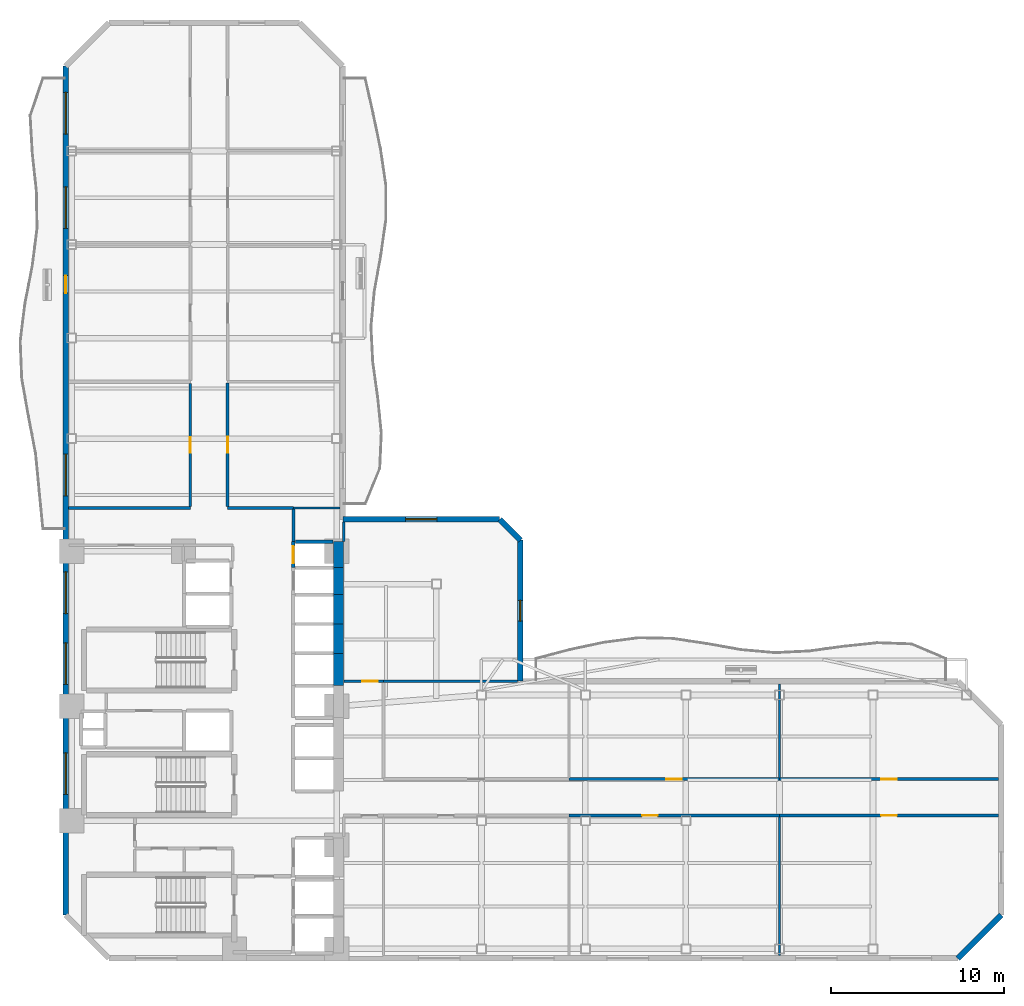
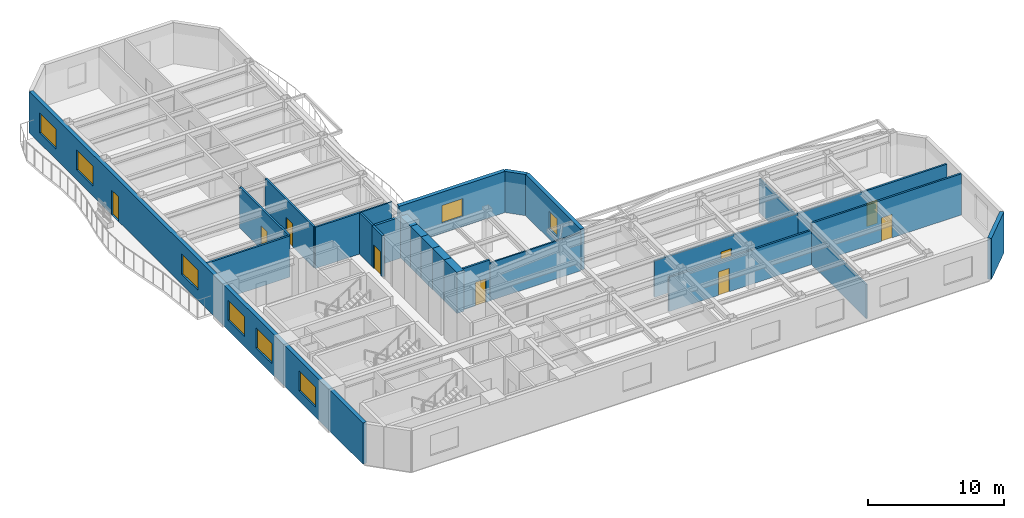
# One storey, part 5 of 10: 27 walls, 9 doors, 8 windows, 17 openings.
"""IFC4 building model written with IfcOpenShell, lengths in metres."""

from ifc_helpers import new_model, si_unit, direction, frame, frame_2d, origin, place, context, subcontext, project, spatial, rectangle, extrude, material, layer, layer_set, type_object, element, fill, save


model = new_model("IFC4")

# Units and contexts
model_context = context("Model", 3, precision=1e-05, world=origin(), true_north=direction((0.0, 1.0)))
body_context = subcontext(model_context, "Body", "Model", "MODEL_VIEW")
ifc_project = project(units=[si_unit("LENGTHUNIT", "METRE"), si_unit("AREAUNIT", "SQUARE_METRE"), si_unit("VOLUMEUNIT", "CUBIC_METRE"), si_unit("PLANEANGLEUNIT", "RADIAN"), si_unit("MASSUNIT", "GRAM", prefix="KILO")], contexts=[model_context])

# Site, building, storey
site_placement = place(None, origin())
site = spatial("IfcSite", under=ifc_project, at=site_placement, CompositionType="ELEMENT")
building_placement = place(site_placement, origin())
building = spatial("IfcBuilding", under=site, at=building_placement, Name="Mawjaban Terraces University", CompositionType="ELEMENT")
storey_placement = place(building_placement, frame((0.0, 0.0, 81.699951171875)))
storey = spatial("IfcBuildingStorey", under=building, at=storey_placement, Name="L19", CompositionType="ELEMENT", Elevation=81.699951171875)

# Walls
ifc_material_1 = material(Name="Concrete C70/85", Category="concrete")
ifc_layer_1 = layer(ifc_material_1, 0.60009765625)
ifc_layer_set_1 = layer_set([ifc_layer_1], Name="Concrete C70/85")
wall_type_1 = type_object("IfcWallType", Name="CoreShearWall_600", PredefinedType="SHEAR", material=ifc_layer_set_1)
wall_1_placement = place(storey_placement, frame((37.75, 15.75, 0.0), z_axis=(0.0, 0.0, 1.0), x_axis=(0.0, 1.0, 0.0)))
element("IfcWall", 1, at=wall_1_placement, inside=storey, type_object=wall_type_1, Name="L19 Lift OL-2 Hoistway Wall East", PredefinedType="SHEAR", context=body_context, shape_type="SweptSolid", body=[
    extrude(rectangle(XDim=1.85009765625, YDim=0.60009765625, at=frame_2d((0.925048828125, 0.0))), origin(), (0.0, 0.0, 1.0), 3.68994140625),
])
for number, where, z_axis, x_axis, name in (
    (2, (37.75, 17.60009765625, 0.0), (0.0, 0.0, 1.0), (0.0, 1.0, 0.0), "L19 Lift PL-M1 Hoistway Wall East"),
    (3, (37.75, 19.300048828125, 0.0), (0.0, 0.0, 1.0), (0.0, 1.0, 0.0), "L19 Lift PL-M2 Hoistway Wall East"),
):
    element("IfcWall", number, at=place(storey_placement, frame(where, z_axis=z_axis, x_axis=x_axis)), inside=storey, type_object=wall_type_1, Name=name, PredefinedType="SHEAR", context=body_context, shape_type="SweptSolid", body=[
        extrude(rectangle(XDim=1.699951171875, YDim=0.60009765625, at=frame_2d((0.85009765625, 0.0))), origin(), (0.0, 0.0, 1.0), 3.68994140625),
    ])
wall_2_placement = place(storey_placement, frame((37.75, 21.0, 0.0), z_axis=(0.0, 0.0, 1.0), x_axis=(0.0, 1.0, 0.0)))
element("IfcWall", 4, at=wall_2_placement, inside=storey, type_object=wall_type_1, Name="L19 Lift PL-L1 Hoistway Wall East", PredefinedType="SHEAR", context=body_context, shape_type="SweptSolid", body=[
    extrude(rectangle(XDim=1.550048828125, YDim=0.60009765625, at=frame_2d((0.77490234375, 0.0))), origin(), (0.0, 0.0, 1.0), 3.68994140625),
])
wall_3_placement = place(storey_placement, frame((37.75, 22.550048828125, 0.0), z_axis=(0.0, 0.0, 1.0), x_axis=(0.0, 1.0, 0.0)))
element("IfcWall", 5, at=wall_3_placement, inside=storey, type_object=wall_type_1, Name="L19 Lift PL-L2 Hoistway Wall East", PredefinedType="SHEAR", context=body_context, shape_type="SweptSolid", body=[
    extrude(rectangle(XDim=1.5, YDim=0.60009765625, at=frame_2d((0.75, 0.0))), origin(), (0.0, 0.0, 1.0), 3.68994140625),
])
ifc_material_2 = material(Name="Fire-rated gypsum board on steel stud", Category="steel")
ifc_layer_2 = layer(ifc_material_2, 0.159912109375)
ifc_layer_set_2 = layer_set([ifc_layer_2], Name="Fire-rated gypsum board on steel stud")
wall_type_2 = type_object("IfcWallType", Name="CorridorPartition_160", PredefinedType="PARTITIONING", material=ifc_layer_set_2)
wall_4_placement = place(storey_placement, frame((29.199951171875, 26.0, 0.0), z_axis=(0.0, 0.0, 1.0), x_axis=(-1.0, 0.0, 0.0)))
element("IfcWall", 6, at=wall_4_placement, inside=storey, type_object=wall_type_2, Name="L19 North Core Cross-Corridor Partition 7", PredefinedType="PARTITIONING", context=body_context, shape_type="SweptSolid", body=[
    extrude(rectangle(XDim=7.044921875, YDim=0.159912109375, at=frame_2d((3.5224609375, 0.0))), origin(), (0.0, 0.0, 1.0), 3.68994140625),
])
wall_5_placement = place(storey_placement, frame((35.14990234375, 26.0, 0.0), z_axis=(0.0, 0.0, 1.0), x_axis=(-1.0, 0.0, 0.0)))
element("IfcWall", 7, at=wall_5_placement, inside=storey, type_object=wall_type_2, Name="L19 North Core Cross-Corridor Partition 13", PredefinedType="PARTITIONING", context=body_context, shape_type="SweptSolid", body=[
    extrude(rectangle(XDim=3.7998046875, YDim=0.159912109375, at=frame_2d((1.89990234375, 0.0))), origin(), (0.0, 0.0, 1.0), 3.68994140625),
])

# Wall, opening, door
wall_6_placement = place(storey_placement, frame((40.35009765625, 16.0, 0.0), z_axis=(0.0, 0.0, 1.0), x_axis=(-1.0, 0.0, 0.0)))
wall_6 = element("IfcWall", 8, at=wall_6_placement, inside=storey, type_object=wall_type_2, Name="L19 East Academic Corridor Vestibule Partition 21", PredefinedType="PARTITIONING", context=body_context, shape_type="SweptSolid", body=[
    extrude(rectangle(XDim=2.27001953125, YDim=0.159912109375, at=frame_2d((1.135009765625, 0.0))), origin(), (0.0, 0.0, 1.0), 3.68994140625),
])
opening_1_placement = place(wall_6_placement, frame((0.3349609375, 0.0, 0.0)))
opening_1 = element("IfcOpeningElement", 9, at=opening_1_placement, cuts=wall_6, Name="Opening ID-090", PredefinedType="OPENING", context=body_context, shape_type="SweptSolid", body=[
    extrude(rectangle(XDim=0.89990234375, YDim=2.10009765625, at=frame_2d((0.449951171875, 1.050048828125))), frame((0.0, 0.08984375, 0.0), z_axis=(0.0, -1.0, 0.0), x_axis=(1.0, 0.0, 0.0)), (0.0, 0.0, 1.0), 0.179931640625),
])
ifc_material_3 = material(Name="Powder-coated steel frame and solid acoustic timber leaf", Category="steel")
door_type_1 = type_object("IfcDoorType", Name="OfficeDoor_900x2100", OperationType="NOTDEFINED", PredefinedType="DOOR", material=ifc_material_3)
door_1_placement = place(opening_1_placement, origin())
door_1 = element("IfcDoor", 10, at=door_1_placement, inside=storey, type_object=door_type_1, Name="L19 Terrace Collaborative Study Room Door", OperationType="SINGLE_SWING_RIGHT", OverallHeight=2.10009765625, OverallWidth=0.89990234375, PredefinedType="DOOR", context=body_context, shape_type="SweptSolid", body=[
    extrude(rectangle(XDim=0.89990234375, YDim=2.10009765625, at=frame_2d((0.449951171875, 1.050048828125))), frame((0.0, 0.02490234375, 0.0), z_axis=(0.0, -1.0, 0.0), x_axis=(1.0, 0.0, 0.0)), (0.0, 0.0, 1.0), 0.050048828125),
])
fill(opening_1, door_1)

wall_7_placement = place(storey_placement, frame((51.050048828125, 8.25, 0.0), z_axis=(0.0, 0.0, 1.0), x_axis=(1.0, 0.0, 0.0)))
wall_7 = element("IfcWall", 11, at=wall_7_placement, inside=storey, type_object=wall_type_2, Name="L19 East Academic Spine Corridor Partition 22", PredefinedType="PARTITIONING", context=body_context, shape_type="SweptSolid", body=[
    extrude(rectangle(XDim=12.14990234375, YDim=0.159912109375, at=frame_2d((6.074951171875, 0.0))), origin(), (0.0, 0.0, 1.0), 3.054931640625),
])
opening_2_placement = place(wall_7_placement, frame((4.22509765625, 0.0, 0.0)))
opening_2 = element("IfcOpeningElement", 12, at=opening_2_placement, cuts=wall_7, Name="Opening ID-090", PredefinedType="OPENING", context=body_context, shape_type="SweptSolid", body=[
    extrude(rectangle(XDim=0.89990234375, YDim=2.10009765625, at=frame_2d((0.449951171875, 1.050048828125))), frame((0.0, 0.08984375, 0.0), z_axis=(0.0, -1.0, 0.0), x_axis=(1.0, 0.0, 0.0)), (0.0, 0.0, 1.0), 0.179931640625),
])
door_2_placement = place(opening_2_placement, origin())
door_2 = element("IfcDoor", 13, at=door_2_placement, inside=storey, type_object=door_type_1, Name="L19 Academic Counseling Room 4 Door", OperationType="SINGLE_SWING_RIGHT", OverallHeight=2.10009765625, OverallWidth=0.89990234375, PredefinedType="DOOR", context=body_context, shape_type="SweptSolid", body=[
    extrude(rectangle(XDim=0.89990234375, YDim=2.10009765625, at=frame_2d((0.449951171875, 1.050048828125))), frame((0.0, 0.02490234375, 0.0), z_axis=(0.0, -1.0, 0.0), x_axis=(1.0, 0.0, 0.0)), (0.0, 0.0, 1.0), 0.050048828125),
])
fill(opening_2, door_2)

wall_8_placement = place(storey_placement, frame((63.199951171875, 8.25, 0.0), z_axis=(0.0, 0.0, 1.0), x_axis=(1.0, 0.0, 0.0)))
wall_8 = element("IfcWall", 14, at=wall_8_placement, inside=storey, type_object=wall_type_2, Name="L19 East Academic Spine Corridor Partition 24", PredefinedType="PARTITIONING", context=body_context, shape_type="SweptSolid", body=[
    extrude(rectangle(XDim=12.64501953125, YDim=0.159912109375, at=frame_2d((6.322509765625, 0.0))), origin(), (0.0, 0.0, 1.0), 3.68994140625),
])
opening_3_placement = place(wall_8_placement, frame((5.8720703125, 0.0, 0.0)))
opening_3 = element("IfcOpeningElement", 15, at=opening_3_placement, cuts=wall_8, Name="Opening ID-090", PredefinedType="OPENING", context=body_context, shape_type="SweptSolid", body=[
    extrude(rectangle(XDim=0.89990234375, YDim=2.10009765625, at=frame_2d((0.449951171875, 1.050048828125))), frame((0.0, 0.08984375, 0.0), z_axis=(0.0, -1.0, 0.0), x_axis=(1.0, 0.0, 0.0)), (0.0, 0.0, 1.0), 0.179931640625),
])
door_3_placement = place(opening_3_placement, origin())
door_3 = element("IfcDoor", 16, at=door_3_placement, inside=storey, type_object=door_type_1, Name="L19 Departmental Office 6 Door", OperationType="SINGLE_SWING_RIGHT", OverallHeight=2.10009765625, OverallWidth=0.89990234375, PredefinedType="DOOR", context=body_context, shape_type="SweptSolid", body=[
    extrude(rectangle(XDim=0.89990234375, YDim=2.10009765625, at=frame_2d((0.449951171875, 1.050048828125))), frame((0.0, 0.02490234375, 0.0), z_axis=(0.0, -1.0, 0.0), x_axis=(1.0, 0.0, 0.0)), (0.0, 0.0, 1.0), 0.050048828125),
])
fill(opening_3, door_3)

wall_9_placement = place(storey_placement, frame((63.199951171875, 10.35009765625, 0.0), z_axis=(0.0, 0.0, 1.0), x_axis=(-1.0, 0.0, 0.0)))
wall_9 = element("IfcWall", 17, at=wall_9_placement, inside=storey, type_object=wall_type_2, Name="L19 East Academic Spine Corridor Partition 25", PredefinedType="PARTITIONING", context=body_context, shape_type="SweptSolid", body=[
    extrude(rectangle(XDim=12.14990234375, YDim=0.159912109375, at=frame_2d((6.074951171875, 0.0))), origin(), (0.0, 0.0, 1.0), 3.277099609375),
])
opening_4_placement = place(wall_9_placement, frame((5.625, 0.0, 0.0)))
opening_4 = element("IfcOpeningElement", 18, at=opening_4_placement, cuts=wall_9, Name="Opening ID-090", PredefinedType="OPENING", context=body_context, shape_type="SweptSolid", body=[
    extrude(rectangle(XDim=0.89990234375, YDim=2.10009765625, at=frame_2d((0.449951171875, 1.050048828125))), frame((0.0, 0.08984375, 0.0), z_axis=(0.0, -1.0, 0.0), x_axis=(1.0, 0.0, 0.0)), (0.0, 0.0, 1.0), 0.179931640625),
])
door_4_placement = place(opening_4_placement, origin())
door_4 = element("IfcDoor", 19, at=door_4_placement, inside=storey, type_object=door_type_1, Name="L19 Faculty Office 5 Door", OperationType="SINGLE_SWING_LEFT", OverallHeight=2.10009765625, OverallWidth=0.89990234375, PredefinedType="DOOR", context=body_context, shape_type="SweptSolid", body=[
    extrude(rectangle(XDim=0.89990234375, YDim=2.10009765625, at=frame_2d((0.449951171875, 1.050048828125))), frame((0.0, 0.02490234375, 0.0), z_axis=(0.0, -1.0, 0.0), x_axis=(1.0, 0.0, 0.0)), (0.0, 0.0, 1.0), 0.050048828125),
])
fill(opening_4, door_4)

wall_10_placement = place(storey_placement, frame((75.844970703125, 10.35009765625, 0.0), z_axis=(0.0, 0.0, 1.0), x_axis=(-1.0, 0.0, 0.0)))
wall_10 = element("IfcWall", 20, at=wall_10_placement, inside=storey, type_object=wall_type_2, Name="L19 East Academic Spine Corridor Partition 26", PredefinedType="PARTITIONING", context=body_context, shape_type="SweptSolid", body=[
    extrude(rectangle(XDim=12.64501953125, YDim=0.159912109375, at=frame_2d((6.322509765625, 0.0))), origin(), (0.0, 0.0, 1.0), 3.277099609375),
])
opening_5_placement = place(wall_10_placement, frame((5.8720703125, 0.0, 0.0)))
opening_5 = element("IfcOpeningElement", 21, at=opening_5_placement, cuts=wall_10, Name="Opening ID-090", PredefinedType="OPENING", context=body_context, shape_type="SweptSolid", body=[
    extrude(rectangle(XDim=0.89990234375, YDim=2.10009765625, at=frame_2d((0.449951171875, 1.050048828125))), frame((0.0, 0.08984375, 0.0), z_axis=(0.0, -1.0, 0.0), x_axis=(1.0, 0.0, 0.0)), (0.0, 0.0, 1.0), 0.179931640625),
])
door_5_placement = place(opening_5_placement, origin())
door_5 = element("IfcDoor", 22, at=door_5_placement, inside=storey, type_object=door_type_1, Name="L19 Faculty Office 7 Door", OperationType="SINGLE_SWING_LEFT", OverallHeight=2.10009765625, OverallWidth=0.89990234375, PredefinedType="DOOR", context=body_context, shape_type="SweptSolid", body=[
    extrude(rectangle(XDim=0.89990234375, YDim=2.10009765625, at=frame_2d((0.449951171875, 1.050048828125))), frame((0.0, 0.02490234375, 0.0), z_axis=(0.0, -1.0, 0.0), x_axis=(1.0, 0.0, 0.0)), (0.0, 0.0, 1.0), 0.050048828125),
])
fill(opening_5, door_5)

wall_11_placement = place(storey_placement, frame((29.199951171875, 33.195068359375, 0.0), z_axis=(0.0, 0.0, 1.0), x_axis=(0.0, -1.0, 0.0)))
wall_11 = element("IfcWall", 23, at=wall_11_placement, inside=storey, type_object=wall_type_2, Name="L19 North Academic Spine Corridor Partition 32", PredefinedType="PARTITIONING", context=body_context, shape_type="SweptSolid", body=[
    extrude(rectangle(XDim=7.1201171875, YDim=0.159912109375, at=frame_2d((3.56005859375, 0.0))), origin(), (0.0, 0.0, 1.0), 3.68994140625),
])
opening_6_placement = place(wall_11_placement, frame((3.110107421875, 0.0, 0.0)))
opening_6 = element("IfcOpeningElement", 24, at=opening_6_placement, cuts=wall_11, Name="Opening ID-090", PredefinedType="OPENING", context=body_context, shape_type="SweptSolid", body=[
    extrude(rectangle(XDim=0.89990234375, YDim=2.10009765625, at=frame_2d((0.449951171875, 1.050048828125))), frame((0.0, 0.08984375, 0.0), z_axis=(0.0, -1.0, 0.0), x_axis=(1.0, 0.0, 0.0)), (0.0, 0.0, 1.0), 0.179931640625),
])
door_6_placement = place(opening_6_placement, origin())
door_6 = element("IfcDoor", 25, at=door_6_placement, inside=storey, type_object=door_type_1, Name="L19 Departmental Office 8 Door", OperationType="SINGLE_SWING_RIGHT", OverallHeight=2.10009765625, OverallWidth=0.89990234375, PredefinedType="DOOR", context=body_context, shape_type="SweptSolid", body=[
    extrude(rectangle(XDim=0.89990234375, YDim=2.10009765625, at=frame_2d((0.449951171875, 1.050048828125))), frame((0.0, 0.02490234375, 0.0), z_axis=(0.0, -1.0, 0.0), x_axis=(1.0, 0.0, 0.0)), (0.0, 0.0, 1.0), 0.050048828125),
])
fill(opening_6, door_6)

wall_12_placement = place(storey_placement, frame((31.35009765625, 26.074951171875, 0.0), z_axis=(0.0, 0.0, 1.0), x_axis=(0.0, 1.0, 0.0)))
wall_12 = element("IfcWall", 26, at=wall_12_placement, inside=storey, type_object=wall_type_2, Name="L19 North Academic Spine Corridor Partition 36", PredefinedType="PARTITIONING", context=body_context, shape_type="SweptSolid", body=[
    extrude(rectangle(XDim=7.136962890625, YDim=0.159912109375, at=frame_2d((3.568359375, 0.0))), origin(), (0.0, 0.0, 1.0), 3.68994140625),
])
opening_7_placement = place(wall_12_placement, frame((3.118896484375, 0.0, 0.0)))
opening_7 = element("IfcOpeningElement", 27, at=opening_7_placement, cuts=wall_12, Name="Opening ID-090", PredefinedType="OPENING", context=body_context, shape_type="SweptSolid", body=[
    extrude(rectangle(XDim=0.89990234375, YDim=2.10009765625, at=frame_2d((0.449951171875, 1.050048828125))), frame((0.0, 0.08984375, 0.0), z_axis=(0.0, -1.0, 0.0), x_axis=(1.0, 0.0, 0.0)), (0.0, 0.0, 1.0), 0.179931640625),
])
door_7_placement = place(opening_7_placement, origin())
door_7 = element("IfcDoor", 28, at=door_7_placement, inside=storey, type_object=door_type_1, Name="L19 Quiet Reading Room 9 Door", OperationType="SINGLE_SWING_LEFT", OverallHeight=2.10009765625, OverallWidth=0.89990234375, PredefinedType="DOOR", context=body_context, shape_type="SweptSolid", body=[
    extrude(rectangle(XDim=0.89990234375, YDim=2.10009765625, at=frame_2d((0.449951171875, 1.050048828125))), frame((0.0, 0.02490234375, 0.0), z_axis=(0.0, -1.0, 0.0), x_axis=(1.0, 0.0, 0.0)), (0.0, 0.0, 1.0), 0.050048828125),
])
fill(opening_7, door_7)

# Walls
wall_13_placement = place(storey_placement, frame((35.14990234375, 24.070068359375, 0.0), z_axis=(0.0, 0.0, 1.0), x_axis=(0.0, 1.0, 0.0)))
element("IfcWall", 29, at=wall_13_placement, inside=storey, type_object=wall_type_2, Name="L19 North Core Cross-Corridor Partition 42", PredefinedType="PARTITIONING", context=body_context, shape_type="SweptSolid", body=[
    extrude(rectangle(XDim=1.85498046875, YDim=0.159912109375, at=frame_2d((0.927490234375, 0.0))), origin(), (0.0, 0.0, 1.0), 3.68994140625),
])
ifc_material_4 = material(Name="Insulated terracotta rainscreen on concrete backup C40/50", Category="masonry")
ifc_layer_3 = layer(ifc_material_4, 0.320068359375)
ifc_layer_set_3 = layer_set([ifc_layer_3], Name="Insulated terracotta rainscreen on concrete backup C40/50")
wall_type_3 = type_object("IfcWallType", Name="ExtTerracottaWall_320", PredefinedType="SOLIDWALL", material=ifc_layer_set_3)
wall_14_placement = place(storey_placement, frame((73.5, 0.0, 0.0), z_axis=(0.0, 0.0, 1.0), x_axis=(0.707106781187, 0.707106781187, 0.0)))
element("IfcWall", 30, at=wall_14_placement, inside=storey, type_object=wall_type_3, Name="L19 Exterior Terracotta Wall 2", PredefinedType="SOLIDWALL", context=body_context, shape_type="SweptSolid", body=[
    extrude(rectangle(XDim=3.53564453125, YDim=0.320068359375, at=frame_2d((1.767822265625, 0.0))), origin(), (0.0, 0.0, 1.0), 3.68994140625),
])

# Wall, opening, window
wall_15_placement = place(storey_placement, frame((48.25, 16.0, 0.0), z_axis=(0.0, 0.0, 1.0), x_axis=(0.0, 1.0, 0.0)))
wall_15 = element("IfcWall", 31, at=wall_15_placement, inside=storey, type_object=wall_type_3, Name="L19 Exterior Terracotta Wall 6", PredefinedType="SOLIDWALL", context=body_context, shape_type="SweptSolid", body=[
    extrude(rectangle(XDim=8.136962890625, YDim=0.320068359375, at=frame_2d((4.068359375, 0.0))), origin(), (0.0, 0.0, 1.0), 3.68994140625),
])
opening_8_placement = place(wall_15_placement, frame((3.468994140625, 0.0, 0.89990234375)))
opening_8 = element("IfcOpeningElement", 32, at=opening_8_placement, cuts=wall_15, Name="Opening W-01", PredefinedType="OPENING", context=body_context, shape_type="SweptSolid", body=[
    extrude(rectangle(XDim=1.199951171875, YDim=1.60009765625, at=frame_2d((0.60009765625, 0.800048828125))), frame((0.0, 0.169921875, 0.0), z_axis=(0.0, -1.0, 0.0), x_axis=(1.0, 0.0, 0.0)), (0.0, 0.0, 1.0), 0.340087890625),
])
ifc_material_5 = material(Name="Low-E solar-control double glazing in thermally broken aluminium frame", Category="aluminium")
window_type_1 = type_object("IfcWindowType", Name="Win_1200x1600", PartitioningType="SINGLE_PANEL", PredefinedType="WINDOW", material=ifc_material_5)
window_1_placement = place(opening_8_placement, origin())
window_1 = element("IfcWindow", 33, at=window_1_placement, inside=storey, type_object=window_type_1, Name="L19 Facade Window 6.1", OverallHeight=1.60009765625, OverallWidth=1.199951171875, PartitioningType="SINGLE_PANEL", PredefinedType="WINDOW", context=body_context, shape_type="SweptSolid", body=[
    extrude(rectangle(XDim=1.199951171875, YDim=1.60009765625, at=frame_2d((0.60009765625, 0.800048828125))), frame((0.0, 0.030029296875, 0.0), z_axis=(0.0, -1.0, 0.0), x_axis=(1.0, 0.0, 0.0)), (0.0, 0.0, 1.0), 0.06005859375),
])
fill(opening_8, window_1)

# Wall
wall_16_placement = place(storey_placement, frame((48.25, 24.136962890625, 0.0), z_axis=(0.0, 0.0, 1.0), x_axis=(-0.707106781187, 0.707106781187, 0.0)))
element("IfcWall", 34, at=wall_16_placement, inside=storey, type_object=wall_type_3, Name="L19 Exterior Terracotta Wall 7", PredefinedType="SOLIDWALL", context=body_context, shape_type="SweptSolid", body=[
    extrude(rectangle(XDim=1.697021484375, YDim=0.320068359375, at=frame_2d((0.8486328125, 0.0))), origin(), (0.0, 0.0, 1.0), 3.68994140625),
])

# Wall, opening, window
wall_17_placement = place(storey_placement, frame((47.050048828125, 25.3369140625, 0.0), z_axis=(0.0, 0.0, 1.0), x_axis=(-1.0, 0.0, 0.0)))
wall_17 = element("IfcWall", 35, at=wall_17_placement, inside=storey, type_object=wall_type_3, Name="L19 Exterior Terracotta Wall 8", PredefinedType="SOLIDWALL", context=body_context, shape_type="SweptSolid", body=[
    extrude(rectangle(XDim=9.050048828125, YDim=0.320068359375, at=frame_2d((4.52490234375, 0.0))), origin(), (0.0, 0.0, 1.0), 3.68994140625),
])
opening_9_placement = place(wall_17_placement, frame((3.625, 0.0, 0.89990234375)))
opening_9 = element("IfcOpeningElement", 36, at=opening_9_placement, cuts=wall_17, Name="Opening W-03", PredefinedType="OPENING", context=body_context, shape_type="SweptSolid", body=[
    extrude(rectangle(XDim=1.800048828125, YDim=1.60009765625, at=frame_2d((0.89990234375, 0.800048828125))), frame((0.0, 0.169921875, 0.0), z_axis=(0.0, -1.0, 0.0), x_axis=(1.0, 0.0, 0.0)), (0.0, 0.0, 1.0), 0.340087890625),
])
window_type_2 = type_object("IfcWindowType", Name="Win_1800x1600", PartitioningType="SINGLE_PANEL", PredefinedType="WINDOW", material=ifc_material_5)
window_2_placement = place(opening_9_placement, origin())
window_2 = element("IfcWindow", 37, at=window_2_placement, inside=storey, type_object=window_type_2, Name="L19 Facade Window 8.1", OverallHeight=1.60009765625, OverallWidth=1.800048828125, PartitioningType="SINGLE_PANEL", PredefinedType="WINDOW", context=body_context, shape_type="SweptSolid", body=[
    extrude(rectangle(XDim=1.800048828125, YDim=1.60009765625, at=frame_2d((0.89990234375, 0.800048828125))), frame((0.0, 0.030029296875, 0.0), z_axis=(0.0, -1.0, 0.0), x_axis=(1.0, 0.0, 0.0)), (0.0, 0.0, 1.0), 0.06005859375),
])
fill(opening_9, window_2)

# Wall, openings, door, windows
wall_18_placement = place(storey_placement, frame((22.0, 51.5, 0.0), z_axis=(0.0, 0.0, 1.0), x_axis=(0.0, -1.0, 0.0)))
wall_18 = element("IfcWall", 38, at=wall_18_placement, inside=storey, type_object=wall_type_3, Name="L19 Exterior Terracotta Wall 13", PredefinedType="SOLIDWALL", context=body_context, shape_type="SweptSolid", body=[
    extrude(rectangle(XDim=49.0, YDim=0.320068359375, at=frame_2d((24.5, 0.0))), origin(), (0.0, 0.0, 1.0), 3.68994140625),
])
opening_10_placement = place(wall_18_placement, frame((12.10009765625, 0.0, 0.0)))
opening_10 = element("IfcOpeningElement", 39, at=opening_10_placement, cuts=wall_18, Name="Opening BD-100", PredefinedType="OPENING", context=body_context, shape_type="SweptSolid", body=[
    extrude(rectangle(XDim=1.0, YDim=2.199951171875, at=frame_2d((0.5, 1.10009765625))), frame((0.0, 0.169921875, 0.0), z_axis=(0.0, -1.0, 0.0), x_axis=(1.0, 0.0, 0.0)), (0.0, 0.0, 1.0), 0.340087890625),
])
opening_11_placement = place(wall_18_placement, frame((1.52197265625, 0.0, 0.89990234375)))
opening_11 = element("IfcOpeningElement", 40, at=opening_11_placement, cuts=wall_18, Name="Opening W-08", PredefinedType="OPENING", context=body_context, shape_type="SweptSolid", body=[
    extrude(rectangle(XDim=2.39990234375, YDim=1.800048828125, at=frame_2d((1.199951171875, 0.89990234375))), frame((0.0, 0.169921875, 0.0), z_axis=(0.0, -1.0, 0.0), x_axis=(1.0, 0.0, 0.0)), (0.0, 0.0, 1.0), 0.340087890625),
])
opening_12_placement = place(wall_18_placement, frame((6.967041015625, 0.0, 0.89990234375)))
opening_12 = element("IfcOpeningElement", 41, at=opening_12_placement, cuts=wall_18, Name="Opening W-08", PredefinedType="OPENING", context=body_context, shape_type="SweptSolid", body=[
    extrude(rectangle(XDim=2.39990234375, YDim=1.800048828125, at=frame_2d((1.199951171875, 0.89990234375))), frame((0.0, 0.169921875, 0.0), z_axis=(0.0, -1.0, 0.0), x_axis=(1.0, 0.0, 0.0)), (0.0, 0.0, 1.0), 0.340087890625),
])
opening_13_placement = place(wall_18_placement, frame((22.39990234375, 0.0, 0.89990234375)))
opening_13 = element("IfcOpeningElement", 42, at=opening_13_placement, cuts=wall_18, Name="Opening W-08", PredefinedType="OPENING", context=body_context, shape_type="SweptSolid", body=[
    extrude(rectangle(XDim=2.39990234375, YDim=1.800048828125, at=frame_2d((1.199951171875, 0.89990234375))), frame((0.0, 0.169921875, 0.0), z_axis=(0.0, -1.0, 0.0), x_axis=(1.0, 0.0, 0.0)), (0.0, 0.0, 1.0), 0.340087890625),
])
opening_14_placement = place(wall_18_placement, frame((29.194091796875, 0.0, 0.89990234375)))
opening_14 = element("IfcOpeningElement", 43, at=opening_14_placement, cuts=wall_18, Name="Opening W-08", PredefinedType="OPENING", context=body_context, shape_type="SweptSolid", body=[
    extrude(rectangle(XDim=2.39990234375, YDim=1.800048828125, at=frame_2d((1.199951171875, 0.89990234375))), frame((0.0, 0.169921875, 0.0), z_axis=(0.0, -1.0, 0.0), x_axis=(1.0, 0.0, 0.0)), (0.0, 0.0, 1.0), 0.340087890625),
])
opening_15_placement = place(wall_18_placement, frame((33.2890625, 0.0, 0.89990234375)))
opening_15 = element("IfcOpeningElement", 44, at=opening_15_placement, cuts=wall_18, Name="Opening W-08", PredefinedType="OPENING", context=body_context, shape_type="SweptSolid", body=[
    extrude(rectangle(XDim=2.39990234375, YDim=1.800048828125, at=frame_2d((1.199951171875, 0.89990234375))), frame((0.0, 0.169921875, 0.0), z_axis=(0.0, -1.0, 0.0), x_axis=(1.0, 0.0, 0.0)), (0.0, 0.0, 1.0), 0.340087890625),
])
opening_16_placement = place(wall_18_placement, frame((39.633056640625, 0.0, 0.89990234375)))
opening_16 = element("IfcOpeningElement", 45, at=opening_16_placement, cuts=wall_18, Name="Opening W-08", PredefinedType="OPENING", context=body_context, shape_type="SweptSolid", body=[
    extrude(rectangle(XDim=2.39990234375, YDim=1.800048828125, at=frame_2d((1.199951171875, 0.89990234375))), frame((0.0, 0.169921875, 0.0), z_axis=(0.0, -1.0, 0.0), x_axis=(1.0, 0.0, 0.0)), (0.0, 0.0, 1.0), 0.340087890625),
])
ifc_material_6 = material(Name="Thermally broken anodised aluminium and laminated safety glass", Category="aluminium")
door_type_2 = type_object("IfcDoorType", Name="BalconyGlazedDoor_1000x2200", OperationType="NOTDEFINED", PredefinedType="DOOR", material=ifc_material_6)
door_8_placement = place(opening_10_placement, origin())
door_8 = element("IfcDoor", 46, at=door_8_placement, inside=storey, type_object=door_type_2, Name="L19 Balcony Access Door west", OperationType="SINGLE_SWING_RIGHT", OverallHeight=2.199951171875, OverallWidth=1.0, PredefinedType="DOOR", context=body_context, shape_type="SweptSolid", body=[
    extrude(rectangle(XDim=1.0, YDim=2.199951171875, at=frame_2d((0.5, 1.10009765625))), frame((0.0, 0.02490234375, 0.0), z_axis=(0.0, -1.0, 0.0), x_axis=(1.0, 0.0, 0.0)), (0.0, 0.0, 1.0), 0.050048828125),
])
fill(opening_10, door_8)
window_type_3 = type_object("IfcWindowType", Name="Win_2400x1800", PartitioningType="SINGLE_PANEL", PredefinedType="WINDOW", material=ifc_material_5)
window_3_placement = place(opening_11_placement, origin())
window_3 = element("IfcWindow", 47, at=window_3_placement, inside=storey, type_object=window_type_3, Name="L19 Facade Window 13.1", OverallHeight=1.800048828125, OverallWidth=2.39990234375, PartitioningType="SINGLE_PANEL", PredefinedType="WINDOW", context=body_context, shape_type="SweptSolid", body=[
    extrude(rectangle(XDim=2.39990234375, YDim=1.800048828125, at=frame_2d((1.199951171875, 0.89990234375))), frame((0.0, 0.030029296875, 0.0), z_axis=(0.0, -1.0, 0.0), x_axis=(1.0, 0.0, 0.0)), (0.0, 0.0, 1.0), 0.06005859375),
])
fill(opening_11, window_3)
window_4_placement = place(opening_12_placement, origin())
window_4 = element("IfcWindow", 48, at=window_4_placement, inside=storey, type_object=window_type_3, Name="L19 Facade Window 13.2", OverallHeight=1.800048828125, OverallWidth=2.39990234375, PartitioningType="SINGLE_PANEL", PredefinedType="WINDOW", context=body_context, shape_type="SweptSolid", body=[
    extrude(rectangle(XDim=2.39990234375, YDim=1.800048828125, at=frame_2d((1.199951171875, 0.89990234375))), frame((0.0, 0.030029296875, 0.0), z_axis=(0.0, -1.0, 0.0), x_axis=(1.0, 0.0, 0.0)), (0.0, 0.0, 1.0), 0.06005859375),
])
fill(opening_12, window_4)
window_5_placement = place(opening_13_placement, origin())
window_5 = element("IfcWindow", 49, at=window_5_placement, inside=storey, type_object=window_type_3, Name="L19 Facade Window 13.5", OverallHeight=1.800048828125, OverallWidth=2.39990234375, PartitioningType="SINGLE_PANEL", PredefinedType="WINDOW", context=body_context, shape_type="SweptSolid", body=[
    extrude(rectangle(XDim=2.39990234375, YDim=1.800048828125, at=frame_2d((1.199951171875, 0.89990234375))), frame((0.0, 0.030029296875, 0.0), z_axis=(0.0, -1.0, 0.0), x_axis=(1.0, 0.0, 0.0)), (0.0, 0.0, 1.0), 0.06005859375),
])
fill(opening_13, window_5)
window_6_placement = place(opening_14_placement, origin())
window_6 = element("IfcWindow", 50, at=window_6_placement, inside=storey, type_object=window_type_3, Name="L19 Facade Window 13.6", OverallHeight=1.800048828125, OverallWidth=2.39990234375, PartitioningType="SINGLE_PANEL", PredefinedType="WINDOW", context=body_context, shape_type="SweptSolid", body=[
    extrude(rectangle(XDim=2.39990234375, YDim=1.800048828125, at=frame_2d((1.199951171875, 0.89990234375))), frame((0.0, 0.030029296875, 0.0), z_axis=(0.0, -1.0, 0.0), x_axis=(1.0, 0.0, 0.0)), (0.0, 0.0, 1.0), 0.06005859375),
])
fill(opening_14, window_6)
window_7_placement = place(opening_15_placement, origin())
window_7 = element("IfcWindow", 51, at=window_7_placement, inside=storey, type_object=window_type_3, Name="L19 Facade Window 13.7", OverallHeight=1.800048828125, OverallWidth=2.39990234375, PartitioningType="SINGLE_PANEL", PredefinedType="WINDOW", context=body_context, shape_type="SweptSolid", body=[
    extrude(rectangle(XDim=2.39990234375, YDim=1.800048828125, at=frame_2d((1.199951171875, 0.89990234375))), frame((0.0, 0.030029296875, 0.0), z_axis=(0.0, -1.0, 0.0), x_axis=(1.0, 0.0, 0.0)), (0.0, 0.0, 1.0), 0.06005859375),
])
fill(opening_15, window_7)
window_8_placement = place(opening_16_placement, origin())
window_8 = element("IfcWindow", 52, at=window_8_placement, inside=storey, type_object=window_type_3, Name="L19 Facade Window 13.8", OverallHeight=1.800048828125, OverallWidth=2.39990234375, PartitioningType="SINGLE_PANEL", PredefinedType="WINDOW", context=body_context, shape_type="SweptSolid", body=[
    extrude(rectangle(XDim=2.39990234375, YDim=1.800048828125, at=frame_2d((1.199951171875, 0.89990234375))), frame((0.0, 0.030029296875, 0.0), z_axis=(0.0, -1.0, 0.0), x_axis=(1.0, 0.0, 0.0)), (0.0, 0.0, 1.0), 0.06005859375),
])
fill(opening_16, window_8)

# Wall, opening, door
ifc_material_7 = material(Name="Concrete C40/50", Category="concrete")
ifc_layer_4 = layer(ifc_material_7, 0.199951171875)
ifc_layer_set_4 = layer_set([ifc_layer_4], Name="Concrete C40/50")
wall_type_4 = type_object("IfcWallType", Name="FireLobbyWall_200", PredefinedType="SOLIDWALL", material=ifc_layer_set_4)
wall_19_placement = place(storey_placement, frame((35.14990234375, 24.050048828125, 0.0), z_axis=(0.0, 0.0, 1.0), x_axis=(0.0, -1.0, 0.0)))
wall_19 = element("IfcWall", 53, at=wall_19_placement, inside=storey, type_object=wall_type_4, Name="L19 Lift PL-L2 Hoistway Wall West", PredefinedType="SOLIDWALL", context=body_context, shape_type="SweptSolid", body=[
    extrude(rectangle(XDim=1.5, YDim=0.199951171875, at=frame_2d((0.75, 0.0))), origin(), (0.0, 0.0, 1.0), 3.68994140625),
])
opening_17_placement = place(wall_19_placement, frame((0.25, 0.0, 0.0)))
opening_17 = element("IfcOpeningElement", 54, at=opening_17_placement, cuts=wall_19, Name="Opening LD-PL-L2", PredefinedType="OPENING", context=body_context, shape_type="SweptSolid", body=[
    extrude(rectangle(XDim=1.0, YDim=2.10009765625, at=frame_2d((0.5, 1.050048828125))), frame((0.0, 0.10986328125, 0.0), z_axis=(0.0, -1.0, 0.0), x_axis=(1.0, 0.0, 0.0)), (0.0, 0.0, 1.0), 0.219970703125),
])
ifc_material_8 = material(Name="Powder-coated steel frame and fire-rated steel-faced leaf", Category="steel")
door_type_3 = type_object("IfcDoorType", Name="LiftLandingSliding_1000x2100", OperationType="NOTDEFINED", PredefinedType="DOOR", material=ifc_material_8)
door_9_placement = place(opening_17_placement, origin())
door_9 = element("IfcDoor", 55, at=door_9_placement, inside=storey, type_object=door_type_3, Name="L19 Lift PL-L2 Sliding Landing Door", OperationType="DOUBLE_DOOR_SLIDING", OverallHeight=2.10009765625, OverallWidth=1.0, PredefinedType="DOOR", context=body_context, shape_type="SweptSolid", body=[
    extrude(rectangle(XDim=1.0, YDim=2.10009765625, at=frame_2d((0.5, 1.050048828125))), frame((0.0, 0.02490234375, 0.0), z_axis=(0.0, -1.0, 0.0), x_axis=(1.0, 0.0, 0.0)), (0.0, 0.0, 1.0), 0.050048828125),
])
fill(opening_17, door_9)

# Walls
wall_20_placement = place(storey_placement, frame((37.419921875, 24.050048828125, 0.0), z_axis=(0.0, 0.0, 1.0), x_axis=(-1.0, 0.0, 0.0)))
element("IfcWall", 56, at=wall_20_placement, inside=storey, type_object=wall_type_4, Name="L19 Lift PL-L2 Hoistway Wall North", PredefinedType="SOLIDWALL", context=body_context, shape_type="SweptSolid", body=[
    extrude(rectangle(XDim=2.139892578125, YDim=0.199951171875, at=frame_2d((1.06982421875, 0.0))), origin(), (0.0, 0.0, 1.0), 3.68994140625),
])
ifc_material_9 = material(Name="Gypsum plasterboard on steel stud", Category="steel")
ifc_layer_5 = layer(ifc_material_9, 0.125)
ifc_layer_set_5 = layer_set([ifc_layer_5], Name="Gypsum plasterboard on steel stud")
wall_type_5 = type_object("IfcWallType", Name="OfficePartition_125", PredefinedType="PARTITIONING", material=ifc_layer_set_5)
wall_21_placement = place(storey_placement, frame((35.14990234375, 26.0, 0.0), z_axis=(0.0, 0.0, 1.0), x_axis=(1.0, 0.0, 0.0)))
element("IfcWall", 57, at=wall_21_placement, inside=storey, type_object=wall_type_5, Name="L19 Quiet Reading Room 9 Partition 14", PredefinedType="PARTITIONING", context=body_context, shape_type="SweptSolid", body=[
    extrude(rectangle(XDim=2.695068359375, YDim=0.125, at=frame_2d((1.34765625, 0.0))), origin(), (0.0, 0.0, 1.0), 3.68994140625),
])
wall_22_placement = place(storey_placement, frame((40.35009765625, 16.0, 0.0), z_axis=(0.0, 0.0, 1.0), x_axis=(1.0, 0.0, 0.0)))
element("IfcWall", 58, at=wall_22_placement, inside=storey, type_object=wall_type_5, Name="L19 Terrace Collaborative Study Room Partition 20", PredefinedType="PARTITIONING", context=body_context, shape_type="SweptSolid", body=[
    extrude(rectangle(XDim=7.744873046875, YDim=0.125, at=frame_2d((3.87255859375, 0.0))), origin(), (0.0, 0.0, 1.0), 3.39013671875),
])
wall_23_placement = place(storey_placement, frame((38.050048828125, 25.181884765625, 0.0), z_axis=(0.0, 0.0, 1.0), x_axis=(0.0, -1.0, 0.0)))
element("IfcWall", 59, at=wall_23_placement, inside=storey, type_object=wall_type_5, Name="L19 Terrace Collaborative Study Room Partition 44", PredefinedType="PARTITIONING", context=body_context, shape_type="SweptSolid", body=[
    extrude(rectangle(XDim=1.1318359375, YDim=0.125, at=frame_2d((0.56591796875, 0.0))), origin(), (0.0, 0.0, 1.0), 3.054931640625),
])
wall_24_placement = place(storey_placement, frame((63.199951171875, 0.155029296875, 0.0), z_axis=(0.0, 0.0, 1.0), x_axis=(0.0, 1.0, 0.0)))
element("IfcWall", 60, at=wall_24_placement, inside=storey, type_object=wall_type_5, Name="L19 Academic Counseling Room 4 Partition 49", PredefinedType="PARTITIONING", context=body_context, shape_type="SweptSolid", body=[
    extrude(rectangle(XDim=8.02001953125, YDim=0.125, at=frame_2d((4.010009765625, 0.0))), origin(), (0.0, 0.0, 1.0), 3.054931640625),
])
wall_25_placement = place(storey_placement, frame((63.199951171875, 10.425048828125, 0.0), z_axis=(0.0, 0.0, 1.0), x_axis=(0.0, 1.0, 0.0)))
element("IfcWall", 61, at=wall_25_placement, inside=storey, type_object=wall_type_5, Name="L19 Faculty Office 5 Partition 50", PredefinedType="PARTITIONING", context=body_context, shape_type="SweptSolid", body=[
    extrude(rectangle(XDim=5.419921875, YDim=0.125, at=frame_2d((2.7099609375, 0.0))), origin(), (0.0, 0.0, 1.0), 3.054931640625),
])

save(model, "model.ifc")
